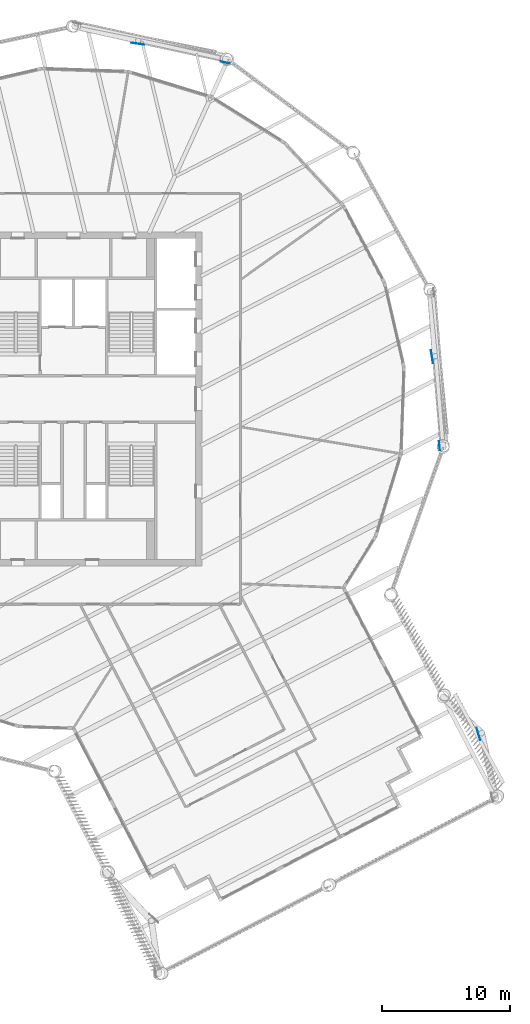
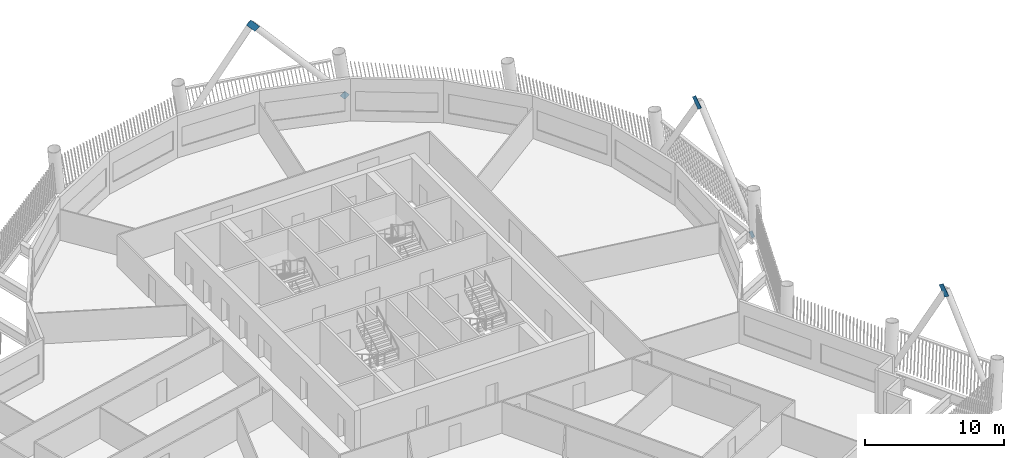
# One storey, part 10 of 22: 5 discrete accessories.
"""IFC4 building model written with IfcOpenShell, lengths in metres."""

from ifc_helpers import new_model, si_unit, direction, frame, origin, origin_2d, place, context, subcontext, project, spatial, rectangle, extrude, material, material_profile, profile_set, type_object, element, save


model = new_model("IFC4")

# Units and contexts
model_context = context("Model", 3, precision=1e-05, world=origin(), true_north=direction((0.0, 1.0)))
body_context = subcontext(model_context, "Body", "Model", "MODEL_VIEW")
ifc_project = project(units=[si_unit("LENGTHUNIT", "METRE"), si_unit("AREAUNIT", "SQUARE_METRE"), si_unit("VOLUMEUNIT", "CUBIC_METRE"), si_unit("PLANEANGLEUNIT", "RADIAN"), si_unit("MASSUNIT", "GRAM", prefix="KILO")], contexts=[model_context])

# Site, building, storey
site_placement = place(None, origin())
site = spatial("IfcSite", under=ifc_project, at=site_placement, CompositionType="ELEMENT")
building_placement = place(site_placement, origin())
building = spatial("IfcBuilding", under=site, at=building_placement, Name="Tarsis Ring Headquarters", CompositionType="ELEMENT")
storey_placement = place(building_placement, frame((0.0, 0.0, 339.199951171875)))
storey = spatial("IfcBuildingStorey", under=building, at=storey_placement, Name="L80", CompositionType="ELEMENT", Elevation=339.199951171875)

# Discrete accessories
ifc_material = material(Name="Structural steel S355", Category="steel")
ifc_material_profile = material_profile(ifc_material, rectangle(XDim=0.02490234375, YDim=0.5, at=origin_2d()), Name="PL 25x500")
ifc_profile_set = profile_set([ifc_material_profile], Name="Structural steel S355")
discrete_accessory_type = type_object("IfcDiscreteAccessoryType", Name="Gusset plate Exo brace 25", PredefinedType="BRACKET", material=ifc_profile_set)
discrete_accessory_1_placement = place(storey_placement, frame((31.63623046875, -26.3828125, 7.38916015625), z_axis=(-0.162119980603, 0.546178308147, 0.821831106492), x_axis=(-0.958659653453, -0.28455521229, 0.0)))
element("IfcDiscreteAccessory", 1, at=discrete_accessory_1_placement, inside=storey, type_object=discrete_accessory_type, Name="Gusset plate GP5", PredefinedType="BRACKET", context=body_context, shape_type="SweptSolid", body=[
    extrude(rectangle(XDim=0.02490234375, YDim=0.5, at=origin_2d()), origin(), (0.0, 0.0, 1.0), 1.0),
])
discrete_accessory_2_placement = place(storey_placement, frame((28.533935546875, -3.817626953125, 0.0), z_axis=(-0.0566549854, 0.673510559194, 0.737003215246), x_axis=(-0.996480669178, -0.083822884427, 0.0)))
element("IfcDiscreteAccessory", 2, at=discrete_accessory_2_placement, inside=storey, type_object=discrete_accessory_type, Name="Gusset plate GP5", PredefinedType="BRACKET", context=body_context, shape_type="SweptSolid", body=[
    extrude(rectangle(XDim=0.02490234375, YDim=0.5, at=origin_2d()), origin(), (0.0, 0.0, 1.0), 0.499755859375),
])
discrete_accessory_3_placement = place(storey_placement, frame((27.986572265625, 2.960205078125, 7.431640625), z_axis=(-0.10181827526, 0.668289255124, 0.736900610875), x_axis=(-0.98859196132, -0.150618504885, 0.0)))
element("IfcDiscreteAccessory", 3, at=discrete_accessory_3_placement, inside=storey, type_object=discrete_accessory_type, Name="Gusset plate GP5", PredefinedType="BRACKET", context=body_context, shape_type="SweptSolid", body=[
    extrude(rectangle(XDim=0.02490234375, YDim=0.5, at=origin_2d()), origin(), (0.0, 0.0, 1.0), 1.0),
])
discrete_accessory_4_placement = place(storey_placement, frame((11.98095703125, 26.1767578125, 0.0), z_axis=(-0.661071819546, 0.14207673522, 0.736748431089), x_axis=(-0.210120791087, -0.977675433441, 0.0)))
element("IfcDiscreteAccessory", 4, at=discrete_accessory_4_placement, inside=storey, type_object=discrete_accessory_type, Name="Gusset plate GP5", PredefinedType="BRACKET", context=body_context, shape_type="SweptSolid", body=[
    extrude(rectangle(XDim=0.02490234375, YDim=0.5, at=origin_2d()), origin(), (0.0, 0.0, 1.0), 0.5),
])
discrete_accessory_5_placement = place(storey_placement, frame((5.33837890625, 27.6318359375, 7.431640625), z_axis=(-0.668987002832, 0.097418180339, 0.736862326477), x_axis=(-0.144100603703, -0.98956304297, 0.0)))
element("IfcDiscreteAccessory", 5, at=discrete_accessory_5_placement, inside=storey, type_object=discrete_accessory_type, Name="Gusset plate GP5", PredefinedType="BRACKET", context=body_context, shape_type="SweptSolid", body=[
    extrude(rectangle(XDim=0.02490234375, YDim=0.5, at=origin_2d()), origin(), (0.0, 0.0, 1.0), 1.0),
])

save(model, "model.ifc")
